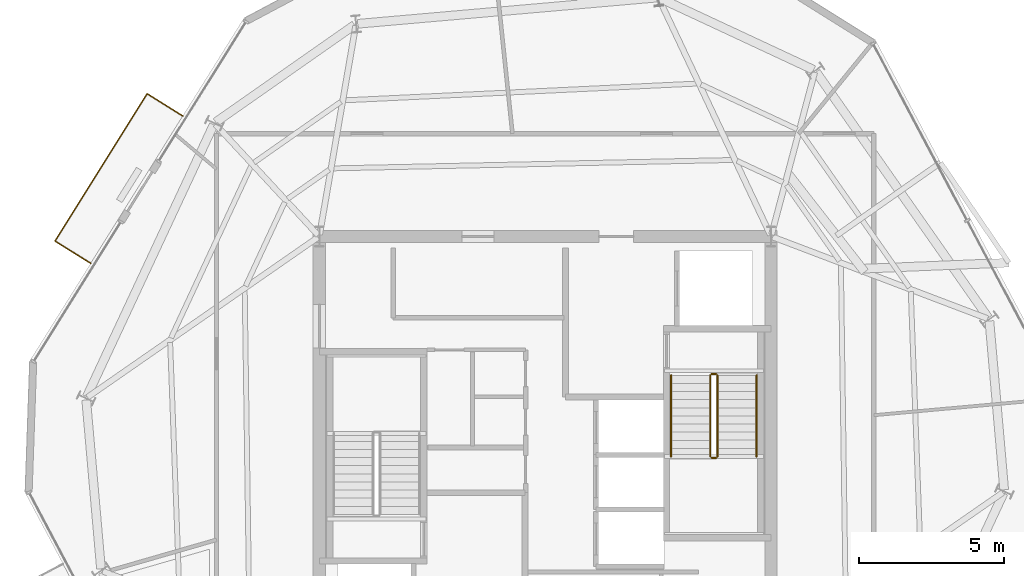
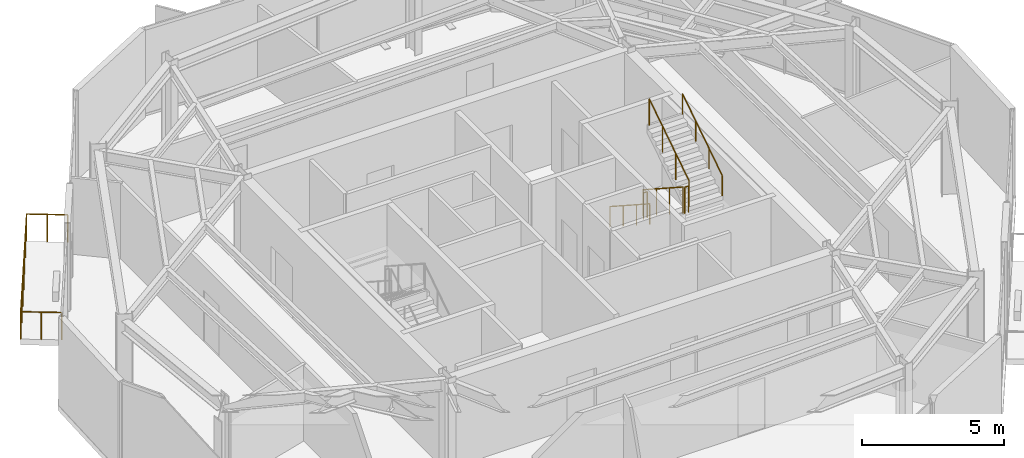
# One storey, part 11 of 12: 7 railings.
"""IFC4 building model written with IfcOpenShell, lengths in metres."""

from ifc_helpers import new_model, si_unit, direction, frame, origin, origin_2d, place, context, subcontext, project, spatial, circle, extrude, material, type_object, element, save


model = new_model("IFC4")

# Units and contexts
model_context = context("Model", 3, precision=1e-05, world=origin(), true_north=direction((0.0, 1.0)))
body_context = subcontext(model_context, "Body", "Model", "MODEL_VIEW")
ifc_project = project(units=[si_unit("LENGTHUNIT", "METRE"), si_unit("AREAUNIT", "SQUARE_METRE"), si_unit("VOLUMEUNIT", "CUBIC_METRE"), si_unit("PLANEANGLEUNIT", "RADIAN"), si_unit("MASSUNIT", "GRAM", prefix="KILO")], contexts=[model_context])

# Site, building, storey
site_placement = place(None, origin())
site = spatial("IfcSite", under=ifc_project, at=site_placement, CompositionType="ELEMENT")
building_placement = place(site_placement, origin())
building = spatial("IfcBuilding", under=site, at=building_placement, Name="Kranzbogen Civic Tower", CompositionType="ELEMENT")
storey_placement = place(building_placement, frame((0.0, 0.0, 258.199951171875)))
storey = spatial("IfcBuildingStorey", under=building, at=storey_placement, Name="L62", CompositionType="ELEMENT", Elevation=258.199951171875)

# Railings
ifc_material_1 = material(Name="Anodised Bronze Aluminium", Category="aluminium")
railing_type_1 = type_object("IfcRailingType", Name="Cantilevered Balcony Glass and Bronze Balustrade 1200", PredefinedType="BALUSTRADE", material=ifc_material_1)
railing_1_placement = place(storey_placement, frame((12.48388671875, 36.35888671875, 0.0)))
element("IfcRailing", 1, at=railing_1_placement, inside=storey, type_object=railing_type_1, Name="L62 exterior terrace balustrade L62-TB2", PredefinedType="BALUSTRADE", context=body_context, shape_type="SweptSolid", body=[
    extrude(circle(Radius=0.02392578125, at=origin_2d()), frame((0.0, 0.0, 1.17578125), z_axis=(-0.84820632616, 0.529665959131, 0.0), x_axis=(-0.529665959131, -0.84820632616, 0.0)), (0.0, 0.0, 1.0), 1.4501953125),
    extrude(circle(Radius=0.02392578125, at=origin_2d()), frame((-1.22998046875, 0.76806640625, 1.17578125), z_axis=(-0.529925795952, -0.848044014651, 0.0), x_axis=(0.848044014651, -0.529925795952, 0.0)), (0.0, 0.0, 1.0), 6.000732421875),
    extrude(circle(Radius=0.02392578125, at=origin_2d()), frame((-4.409912109375, -4.32080078125, 1.17578125), z_axis=(0.84820632616, -0.529665959131, 0.0), x_axis=(0.529665959131, 0.84820632616, 0.0)), (0.0, 0.0, 1.0), 1.4501953125),
    extrude(circle(Radius=0.02099609375, at=origin_2d()), origin(), (0.0, 0.0, 1.0), 1.15185546875),
    extrude(circle(Radius=0.02099609375, at=origin_2d()), frame((-0.614990234375, 0.384033203125, 0.0)), (0.0, 0.0, 1.0), 1.15185546875),
    extrude(circle(Radius=0.02099609375, at=origin_2d()), frame((-1.22998046875, 0.76806640625, 0.0)), (0.0, 0.0, 1.0), 1.15185546875),
    extrude(circle(Radius=0.02099609375, at=origin_2d()), frame((-1.760009765625, -0.080078125, 0.0)), (0.0, 0.0, 1.0), 1.15185546875),
    extrude(circle(Radius=0.02099609375, at=origin_2d()), frame((-2.2900390625, -0.92822265625, 0.0)), (0.0, 0.0, 1.0), 1.15185546875),
    extrude(circle(Radius=0.02099609375, at=origin_2d()), frame((-2.81982421875, -1.7763671875, 0.0)), (0.0, 0.0, 1.0), 1.15185546875),
    extrude(circle(Radius=0.02099609375, at=origin_2d()), frame((-3.349853515625, -2.62451171875, 0.0)), (0.0, 0.0, 1.0), 1.15185546875),
    extrude(circle(Radius=0.02099609375, at=origin_2d()), frame((-3.8798828125, -3.47265625, 0.0)), (0.0, 0.0, 1.0), 1.15185546875),
    extrude(circle(Radius=0.02099609375, at=origin_2d()), frame((-4.409912109375, -4.32080078125, 0.0)), (0.0, 0.0, 1.0), 1.15185546875),
    extrude(circle(Radius=0.02099609375, at=origin_2d()), frame((-3.794921875, -4.704833984375, 0.0)), (0.0, 0.0, 1.0), 1.15185546875),
    extrude(circle(Radius=0.02099609375, at=origin_2d()), frame((-3.179931640625, -5.0888671875, 0.0)), (0.0, 0.0, 1.0), 1.15185546875),
])
ifc_material_2 = material(Name="Steel S355", Category="steel")
railing_type_2 = type_object("IfcRailingType", Name="Internal Stair and Void Steel Guardrail 1150", PredefinedType="GUARDRAIL", material=ifc_material_2)
railing_2_placement = place(storey_placement, frame((30.699951171875, 27.39990234375, 0.181884765625)))
element("IfcRailing", 2, at=railing_2_placement, inside=storey, type_object=railing_type_2, Name="L62 ST-T2 stair guard 1", PredefinedType="GUARDRAIL", context=body_context, shape_type="SweptSolid", body=[
    extrude(circle(Radius=0.02392578125, at=origin_2d()), frame((0.0, 0.0, 1.1259765625), z_axis=(0.0, -0.83868413941, 0.544618136222), x_axis=(1.0, 0.0, 0.0)), (0.0, 0.0, 1.0), 3.33837890625),
    extrude(circle(Radius=0.02099609375, at=origin_2d()), origin(), (0.0, 0.0, 1.0), 1.101806640625),
    extrude(circle(Radius=0.02099609375, at=origin_2d()), frame((0.0, -0.933349609375, 0.60595703125)), (0.0, 0.0, 1.0), 1.101806640625),
    extrude(circle(Radius=0.02099609375, at=origin_2d()), frame((0.0, -1.866455078125, 1.212158203125)), (0.0, 0.0, 1.0), 1.101806640625),
    extrude(circle(Radius=0.02099609375, at=origin_2d()), frame((0.0, -2.7998046875, 1.818115234375)), (0.0, 0.0, 1.0), 1.101806640625),
])
railing_3_placement = place(storey_placement, frame((30.75, 24.550048828125, 2.0)))
element("IfcRailing", 3, at=railing_3_placement, inside=storey, type_object=railing_type_2, Name="L62 ST-T2 stair guard 2", PredefinedType="GUARDRAIL", context=body_context, shape_type="SweptSolid", body=[
    extrude(circle(Radius=0.02392578125, at=origin_2d()), frame((0.0, 0.0, 1.1259765625), z_axis=(1.0, 0.0, 0.0), x_axis=(0.0, 1.0, 0.0)), (0.0, 0.0, 1.0), 0.14990234375),
    extrude(circle(Radius=0.02099609375, at=origin_2d()), origin(), (0.0, 0.0, 1.0), 1.101806640625),
    extrude(circle(Radius=0.02099609375, at=origin_2d()), frame((0.14990234375, 0.0, 0.0)), (0.0, 0.0, 1.0), 1.101806640625),
])
railing_4_placement = place(storey_placement, frame((30.949951171875, 24.60009765625, 2.181884765625)))
element("IfcRailing", 4, at=railing_4_placement, inside=storey, type_object=railing_type_2, Name="L62 ST-T2 stair guard 3", PredefinedType="GUARDRAIL", context=body_context, shape_type="SweptSolid", body=[
    extrude(circle(Radius=0.02392578125, at=origin_2d()), frame((0.0, 0.0, 1.1259765625), z_axis=(0.0, 0.83868413941, 0.544618136222), x_axis=(-1.0, 0.0, 0.0)), (0.0, 0.0, 1.0), 3.33837890625),
    extrude(circle(Radius=0.02099609375, at=origin_2d()), origin(), (0.0, 0.0, 1.0), 1.101806640625),
    extrude(circle(Radius=0.02099609375, at=origin_2d()), frame((0.0, 0.933349609375, 0.60595703125)), (0.0, 0.0, 1.0), 1.101806640625),
    extrude(circle(Radius=0.02099609375, at=origin_2d()), frame((0.0, 1.866455078125, 1.212158203125)), (0.0, 0.0, 1.0), 1.101806640625),
    extrude(circle(Radius=0.02099609375, at=origin_2d()), frame((0.0, 2.7998046875, 1.818115234375)), (0.0, 0.0, 1.0), 1.101806640625),
])
railing_5_placement = place(storey_placement, frame((30.75, 27.449951171875, 0.0)))
element("IfcRailing", 5, at=railing_5_placement, inside=storey, type_object=railing_type_2, Name="L62 ST-T2 stair guard 4", PredefinedType="GUARDRAIL", context=body_context, shape_type="SweptSolid", body=[
    extrude(circle(Radius=0.02392578125, at=origin_2d()), frame((0.0, 0.0, 1.1259765625), z_axis=(1.0, 0.0, 0.0), x_axis=(0.0, 1.0, 0.0)), (0.0, 0.0, 1.0), 0.14990234375),
    extrude(circle(Radius=0.02099609375, at=origin_2d()), origin(), (0.0, 0.0, 1.0), 1.101806640625),
    extrude(circle(Radius=0.02099609375, at=origin_2d()), frame((0.14990234375, 0.0, 0.0)), (0.0, 0.0, 1.0), 1.101806640625),
])
ifc_material_3 = material(Name="Pale Anodised Aluminium", Category="aluminium")
railing_type_3 = type_object("IfcRailingType", Name="Tubular Stainless Stair Wall Handrail 900", PredefinedType="HANDRAIL", material=ifc_material_3)
railing_6_placement = place(storey_placement, frame((29.35009765625, 27.39990234375, 0.181884765625)))
element("IfcRailing", 6, at=railing_6_placement, inside=storey, type_object=railing_type_3, Name="L62 ST-T2 stair handrail 1", PredefinedType="HANDRAIL", context=body_context, shape_type="SweptSolid", body=[
    extrude(circle(Radius=0.02392578125, at=origin_2d()), frame((0.0, 0.0, 0.8759765625), z_axis=(0.0, -0.83868413941, 0.544618136222), x_axis=(1.0, 0.0, 0.0)), (0.0, 0.0, 1.0), 3.33837890625),
    extrude(circle(Radius=0.02099609375, at=origin_2d()), origin(), (0.0, 0.0, 1.0), 0.851806640625),
    extrude(circle(Radius=0.02099609375, at=origin_2d()), frame((0.0, -0.933349609375, 0.60595703125)), (0.0, 0.0, 1.0), 0.851806640625),
    extrude(circle(Radius=0.02099609375, at=origin_2d()), frame((0.0, -1.866455078125, 1.212158203125)), (0.0, 0.0, 1.0), 0.851806640625),
    extrude(circle(Radius=0.02099609375, at=origin_2d()), frame((0.0, -2.7998046875, 1.818115234375)), (0.0, 0.0, 1.0), 0.851806640625),
])
railing_7_placement = place(storey_placement, frame((32.300048828125, 24.60009765625, 2.181884765625)))
element("IfcRailing", 7, at=railing_7_placement, inside=storey, type_object=railing_type_3, Name="L62 ST-T2 stair handrail 2", PredefinedType="HANDRAIL", context=body_context, shape_type="SweptSolid", body=[
    extrude(circle(Radius=0.02392578125, at=origin_2d()), frame((0.0, 0.0, 0.8759765625), z_axis=(0.0, 0.83868413941, 0.544618136222), x_axis=(-1.0, 0.0, 0.0)), (0.0, 0.0, 1.0), 3.33837890625),
    extrude(circle(Radius=0.02099609375, at=origin_2d()), origin(), (0.0, 0.0, 1.0), 0.851806640625),
    extrude(circle(Radius=0.02099609375, at=origin_2d()), frame((0.0, 0.933349609375, 0.60595703125)), (0.0, 0.0, 1.0), 0.851806640625),
    extrude(circle(Radius=0.02099609375, at=origin_2d()), frame((0.0, 1.866455078125, 1.212158203125)), (0.0, 0.0, 1.0), 0.851806640625),
    extrude(circle(Radius=0.02099609375, at=origin_2d()), frame((0.0, 2.7998046875, 1.818115234375)), (0.0, 0.0, 1.0), 0.851806640625),
])

save(model, "model.ifc")
